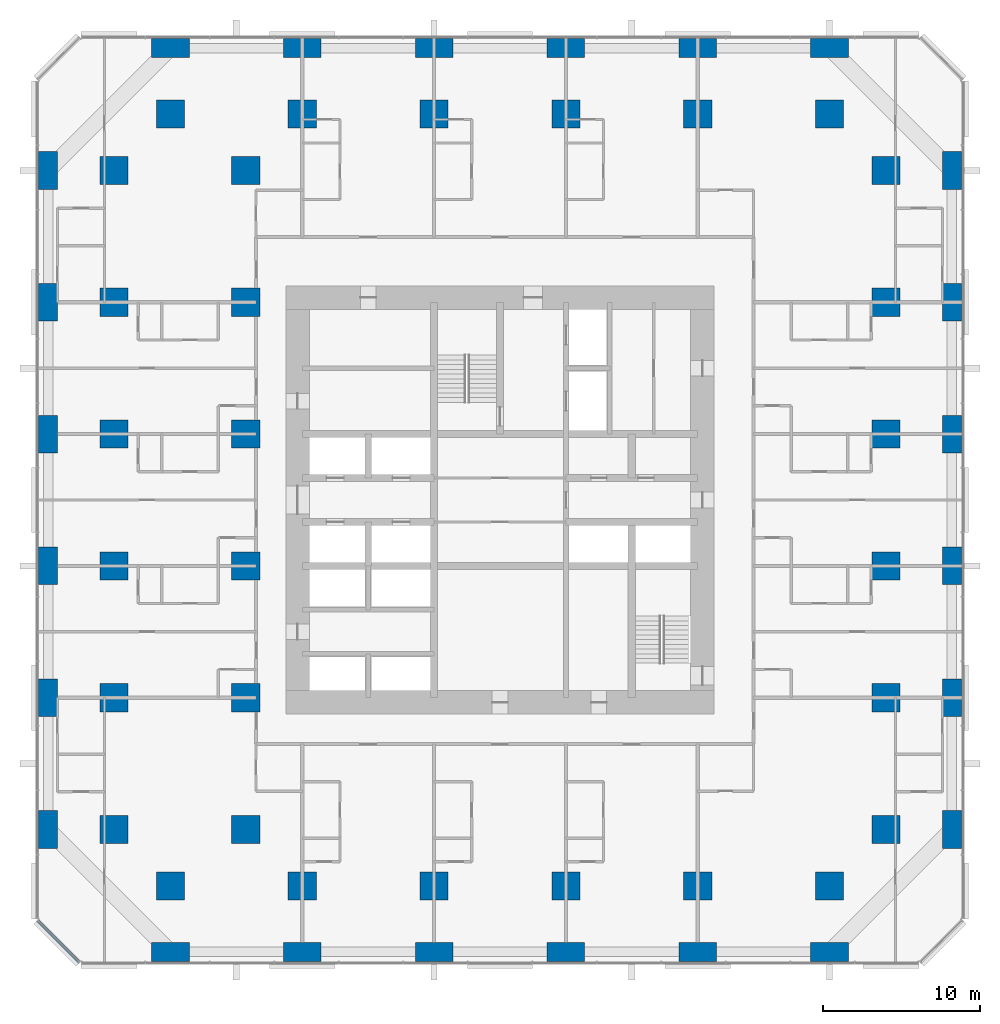
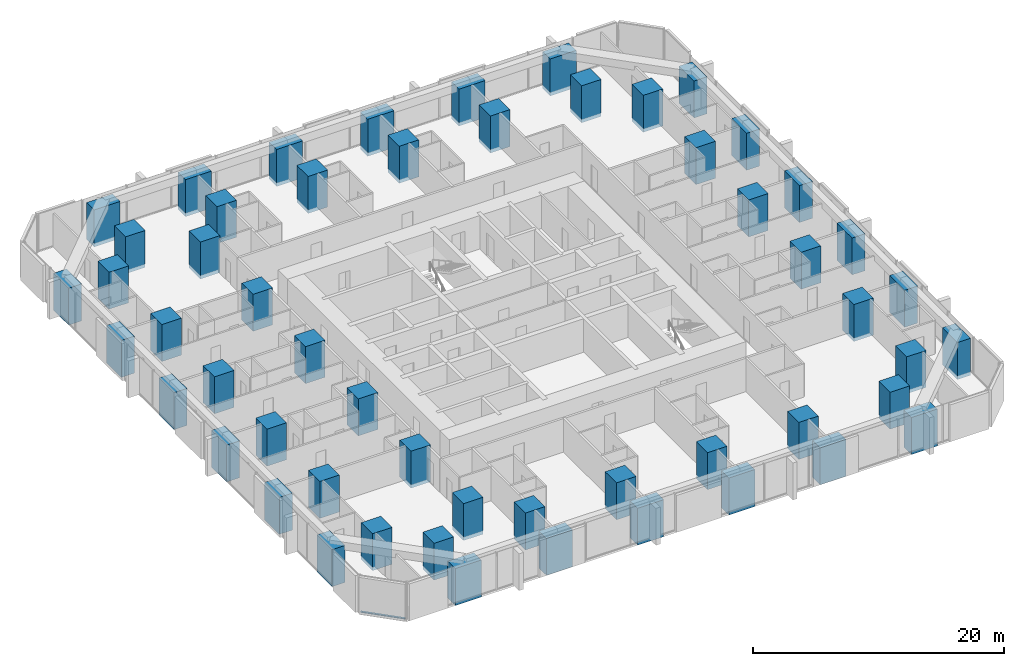
# One storey, part 1 of 17: 54 columns, 1 member, 1 element without a shape of its own.
"""IFC4 building model written with IfcOpenShell, lengths in metres."""

import ifcopenshell
import ifcopenshell.guid

model = None  # the IFC model being written
_history = None  # IfcOwnerHistory: only IFC2X3 demands one
_inside = {}  # id of a spatial element -> (the spatial element, [elements in it])
_under = {}  # id of a project, library or spatial element -> (it, [spatial elements below it])
_declared = {}  # id of a project -> (the project, [libraries it declares])
_typed = {}  # id of a type object -> (the type object, [elements of that type])
_made_of = {}  # id of a material, layer set ... -> (it, [elements and type objects made of it])


def new_model(schema):
    """Start an empty IFC model of exactly this schema.

    Asked for "IFC4X3", IfcOpenShell would pick the latest addendum, in which some entities
    have other attributes; the version numbers below select the first issue.
    IFC2X3 requires an IfcOwnerHistory on every rooted entity: one is made here for all.
    """
    global model, _history
    if schema == "IFC4X3":
        model = ifcopenshell.file(schema_version=(4, 3, 0, 0))
    else:
        model = ifcopenshell.file(schema=schema)
    _inside.clear()
    _under.clear()
    _declared.clear()
    _typed.clear()
    _made_of.clear()
    _history = None
    if model.schema == "IFC2X3":
        org = make("IfcOrganization", Name="unknown")
        user = make(
            "IfcPersonAndOrganization",
            ThePerson=make("IfcPerson", FamilyName="unknown"),
            TheOrganization=org,
        )
        app = make(
            "IfcApplication",
            ApplicationDeveloper=org,
            Version="unknown",
            ApplicationFullName="unknown",
            ApplicationIdentifier="unknown",
        )
        _history = make(
            "IfcOwnerHistory",
            OwningUser=user,
            OwningApplication=app,
            ChangeAction="ADDED",
            CreationDate=0,
        )
    return model


def make(cls, **values):
    """One entity of the class cls with the attributes given. An attribute that is None is left unset."""
    return model.create_entity(
        cls, **{name: value for name, value in values.items() if value is not None}
    )


def rooted(cls, **values):
    """An entity with a GlobalId (a new one), such as an element, a storey or a relation."""
    return make(cls, GlobalId=ifcopenshell.guid.new(), OwnerHistory=_history, **values)


def si_unit(unit_type, name, prefix=None):
    """IfcSIUnit, for example si_unit("LENGTHUNIT", "METRE", prefix="MILLI")."""
    return make("IfcSIUnit", UnitType=unit_type, Prefix=prefix, Name=name)


def assignment(units):
    """IfcUnitAssignment: the units of a project."""
    return None if units is None else make("IfcUnitAssignment", Units=units)


def point(xyz):
    """IfcCartesianPoint."""
    return None if xyz is None else make("IfcCartesianPoint", Coordinates=xyz)


def direction(xyz):
    """IfcDirection."""
    return None if xyz is None else make("IfcDirection", DirectionRatios=xyz)


def frame(location, z_axis=None, x_axis=None):
    """IfcAxis2Placement3D, a coordinate frame: its origin and axes. An axis left out is left unset."""
    return make(
        "IfcAxis2Placement3D",
        Location=point(location),
        Axis=direction(z_axis),
        RefDirection=direction(x_axis),
    )


def frame_2d(location, x_axis=None):
    """IfcAxis2Placement2D, a coordinate frame in the plane: its origin and x axis."""
    return make(
        "IfcAxis2Placement2D", Location=point(location), RefDirection=direction(x_axis)
    )


def origin():
    """The frame at (0, 0, 0) with its axes left unset."""
    return frame((0.0, 0.0, 0.0))


def origin_2d():
    """The frame at (0, 0) in the plane with its x axis left unset."""
    return frame_2d((0.0, 0.0))


def place(relative_to, where):
    """IfcLocalPlacement: puts the frame where relative to a parent placement (None: the world)."""
    return make(
        "IfcLocalPlacement", PlacementRelTo=relative_to, RelativePlacement=where
    )


def context(
    kind, dimensions, precision=None, world=None, true_north=None, identifier=None
):
    """IfcGeometricRepresentationContext, for example the 3D "Model" context."""
    return make(
        "IfcGeometricRepresentationContext",
        ContextIdentifier=identifier,
        ContextType=kind,
        CoordinateSpaceDimension=dimensions,
        Precision=precision,
        WorldCoordinateSystem=world,
        TrueNorth=true_north,
    )


def subcontext(parent, identifier, kind, view, scale=None):
    """IfcGeometricRepresentationSubContext, for example "Body" below "Model"."""
    return make(
        "IfcGeometricRepresentationSubContext",
        ContextIdentifier=identifier,
        ContextType=kind,
        ParentContext=parent,
        TargetScale=scale,
        TargetView=view,
    )


def project(units=None, contexts=None):
    """IfcProject with its units and contexts."""
    return rooted(
        "IfcProject",
        Name="project",
        RepresentationContexts=contexts,
        UnitsInContext=assignment(units),
    )


def spatial(cls, under=None, at=None, **own):
    """A site, building, storey or space (cls), placed at a placement, below another one or the project."""
    s = rooted(cls, ObjectPlacement=at, **own)
    if under is not None:
        _under.setdefault(under.id(), (under, []))[1].append(s)
    return s


def profile(cls, at=None, kind="AREA", **sizes):
    """A parametric profile (cls). Its sizes go by their IFC names, for example OverallWidth=200.0."""
    return make(cls, ProfileType=kind, Position=at, **sizes)


def rectangle(**sizes):
    """IfcRectangleProfileDef."""
    return profile("IfcRectangleProfileDef", **sizes)


def extrude(swept, where, along, depth):
    """IfcExtrudedAreaSolid: the profile swept, set in the frame where, extruded along a direction by depth."""
    return make(
        "IfcExtrudedAreaSolid",
        SweptArea=swept,
        Position=where,
        ExtrudedDirection=direction(along),
        Depth=depth,
    )


def shape(context_of_items, identifier, shape_type, items):
    """IfcShapeRepresentation: the items that make up one representation, for example the "Body"."""
    return make(
        "IfcShapeRepresentation",
        ContextOfItems=context_of_items,
        RepresentationIdentifier=identifier,
        RepresentationType=shape_type,
        Items=items,
    )


def material(Name=None, Category=None):
    """IfcMaterial."""
    return make("IfcMaterial", Name=Name, Category=Category)


def material_profile(
    of_material, cross_section, Name=None, Category=None, Priority=None
):
    """IfcMaterialProfile: a cross section and its material."""
    return make(
        "IfcMaterialProfile",
        Name=Name,
        Material=of_material,
        Profile=cross_section,
        Priority=Priority,
        Category=Category,
    )


def profile_set(profiles, Name=None, composite=None):
    """IfcMaterialProfileSet."""
    return make(
        "IfcMaterialProfileSet",
        Name=Name,
        MaterialProfiles=profiles,
        CompositeProfile=composite,
    )


def made_of(thing, what):
    """Note that an element or type object is made of a material, layer set ...; save() writes the relation."""
    if what is not None:
        _made_of.setdefault(what.id(), (what, []))[1].append(thing)
    return thing


def type_object(cls, material=None, **own):
    """A type object (cls), such as IfcWallType, which elements share."""
    return made_of(rooted(cls, **own), material)


def element(
    cls,
    number,
    at=None,
    inside=None,
    cuts=None,
    type_object=None,
    material=None,
    context=None,
    identifier="Body",
    shape_type=None,
    held_by="IfcProductDefinitionShape",
    body=None,
    shapes=None,
    **own,
):
    """One element of the class cls, such as IfcWall. Its Tag is "e" and its number.

    at: its placement. inside: the storey or other place that contains it. cuts: it is an
    opening in that element (IfcRelVoidsElement). A single representation is given by context,
    identifier, shape_type and body (its items); several are given by shapes. held_by: the class
    of the entity that holds the representations. save() writes the other relations.
    """
    e = rooted(cls, Tag="e%d" % number, ObjectPlacement=at, **own)
    if body is not None:
        shapes = [shape(context, identifier, shape_type, body)]
    if shapes is not None:
        e.Representation = make(held_by, Representations=shapes)
    if inside is not None:
        _inside.setdefault(inside.id(), (inside, []))[1].append(e)
    if cuts is not None:
        rooted(
            "IfcRelVoidsElement", RelatingBuildingElement=cuts, RelatedOpeningElement=e
        )
    if type_object is not None:
        _typed.setdefault(type_object.id(), (type_object, []))[1].append(e)
    return made_of(e, material)


def aggregate(whole, parts):
    """IfcRelAggregates: a whole, such as a stair, and the parts it consists of."""
    return rooted("IfcRelAggregates", RelatingObject=whole, RelatedObjects=parts)


def save(model, path):
    """Write the relations noted so far, then the file.

    IfcRelAggregates (storeys below a building ...), IfcRelContainedInSpatialStructure (elements
    in a storey), IfcRelDefinesByType, IfcRelAssociatesMaterial and IfcRelDeclares: one each for
    every whole, place, type object, material and project.
    """
    for whole, parts in _under.values():
        aggregate(whole, parts)
    for where, things in _inside.values():
        rooted(
            "IfcRelContainedInSpatialStructure",
            RelatedElements=things,
            RelatingStructure=where,
        )
    for kind, things in _typed.values():
        rooted("IfcRelDefinesByType", RelatedObjects=things, RelatingType=kind)
    for what, things in _made_of.values():
        rooted("IfcRelAssociatesMaterial", RelatedObjects=things, RelatingMaterial=what)
    for by, libraries in _declared.values():
        rooted("IfcRelDeclares", RelatingContext=by, RelatedDefinitions=libraries)
    model.write(path)


model = new_model("IFC4")

# Units and contexts
model_context = context("Model", 3, precision=1e-05, world=origin(), true_north=direction((0.0, 1.0)))
body_context = subcontext(model_context, "Body", "Model", "MODEL_VIEW")
ifc_project = project(units=[si_unit("LENGTHUNIT", "METRE"), si_unit("AREAUNIT", "SQUARE_METRE"), si_unit("VOLUMEUNIT", "CUBIC_METRE"), si_unit("PLANEANGLEUNIT", "RADIAN"), si_unit("MASSUNIT", "GRAM", prefix="KILO")], contexts=[model_context])

# Site, building, storey
site_placement = place(None, origin())
site = spatial("IfcSite", under=ifc_project, at=site_placement, CompositionType="ELEMENT")
building_placement = place(site_placement, origin())
building = spatial("IfcBuilding", under=site, at=building_placement, Name="Dunama Terrace Hotel", CompositionType="ELEMENT")
storey_placement = place(building_placement, frame((0.0, 0.0, 55.800048828125)))
storey = spatial("IfcBuildingStorey", under=building, at=storey_placement, Name="L13", CompositionType="ELEMENT", Elevation=55.800048828125)

# Columns
ifc_material_1 = material(Name="Concrete C60/75", Category="concrete")
ifc_material_profile_1 = material_profile(ifc_material_1, rectangle(XDim=1.199951171875, YDim=2.39990234375, at=origin_2d()), Name="RC 1200x2400")
ifc_profile_set_1 = profile_set([ifc_material_profile_1], Name="Concrete C60/75")
column_type_1 = type_object("IfcColumnType", Name="Column RC 1200x2400", PredefinedType="COLUMN", material=ifc_profile_set_1)
for number, where, z_axis, x_axis, name in (
    (1, (0.60009765625, 8.39990234375, -0.35009765625), (0.0, 0.0, 1.0), (1.0, 0.0, 0.0), "Column L13 +0.6/+8.4"),
    (2, (0.60009765625, 16.800048828125, -0.35009765625), (0.0, 0.0, 1.0), (1.0, 0.0, 0.0), "Column L13 +0.6/+16.8"),
    (3, (0.60009765625, 25.199951171875, -0.35009765625), (0.0, 0.0, 1.0), (1.0, 0.0, 0.0), "Column L13 +0.6/+25.2"),
    (4, (0.60009765625, 33.60009765625, -0.35009765625), (0.0, 0.0, 1.0), (1.0, 0.0, 0.0), "Column L13 +0.6/+33.6"),
    (5, (0.60009765625, 42.0, -0.35009765625), (0.0, 0.0, 1.0), (1.0, 0.0, 0.0), "Column L13 +0.6/+42.0"),
    (6, (0.60009765625, 50.39990234375, -0.35009765625), (0.0, 0.0, 1.0), (1.0, 0.0, 0.0), "Column L13 +0.6/+50.4"),
    (7, (58.199951171875, 8.39990234375, -0.35009765625), (0.0, 0.0, 1.0), (1.0, 0.0, 0.0), "Column L13 +58.2/+8.4"),
    (8, (58.199951171875, 16.800048828125, -0.35009765625), (0.0, 0.0, 1.0), (1.0, 0.0, 0.0), "Column L13 +58.2/+16.8"),
    (9, (58.199951171875, 25.199951171875, -0.35009765625), (0.0, 0.0, 1.0), (1.0, 0.0, 0.0), "Column L13 +58.2/+25.2"),
    (10, (58.199951171875, 33.60009765625, -0.35009765625), (0.0, 0.0, 1.0), (1.0, 0.0, 0.0), "Column L13 +58.2/+33.6"),
    (11, (58.199951171875, 42.0, -0.35009765625), (0.0, 0.0, 1.0), (1.0, 0.0, 0.0), "Column L13 +58.2/+42.0"),
    (12, (58.199951171875, 50.39990234375, -0.35009765625), (0.0, 0.0, 1.0), (1.0, 0.0, 0.0), "Column L13 +58.2/+50.4"),
):
    element("IfcColumn", number, at=place(storey_placement, frame(where, z_axis=z_axis, x_axis=x_axis)), inside=storey, type_object=column_type_1, Name=name, PredefinedType="COLUMN", context=body_context, shape_type="SweptSolid", body=[
        extrude(rectangle(XDim=1.199951171875, YDim=2.39990234375, at=origin_2d()), origin(), (0.0, 0.0, 1.0), 3.60009765625),
    ])
ifc_material_2 = material(Name="Concrete C60/75", Category="concrete")
ifc_material_profile_2 = material_profile(ifc_material_2, rectangle(XDim=1.800048828125, YDim=1.800048828125, at=origin_2d()), Name="RC 1800x1800")
ifc_profile_set_2 = profile_set([ifc_material_profile_2], Name="Concrete C60/75")
column_type_2 = type_object("IfcColumnType", Name="Column RC 1800x1800", PredefinedType="COLUMN", material=ifc_profile_set_2)
for number, where, z_axis, x_axis, name in (
    (13, (4.800048828125, 8.39990234375, -0.35009765625), (0.0, 0.0, 1.0), (1.0, 0.0, 0.0), "Column L13 +4.8/+8.4"),
    (14, (4.800048828125, 16.800048828125, -0.35009765625), (0.0, 0.0, 1.0), (1.0, 0.0, 0.0), "Column L13 +4.8/+16.8"),
    (15, (4.800048828125, 25.199951171875, -0.35009765625), (0.0, 0.0, 1.0), (1.0, 0.0, 0.0), "Column L13 +4.8/+25.2"),
    (16, (4.800048828125, 33.60009765625, -0.35009765625), (0.0, 0.0, 1.0), (1.0, 0.0, 0.0), "Column L13 +4.8/+33.6"),
    (17, (4.800048828125, 42.0, -0.35009765625), (0.0, 0.0, 1.0), (1.0, 0.0, 0.0), "Column L13 +4.8/+42.0"),
    (18, (4.800048828125, 50.39990234375, -0.35009765625), (0.0, 0.0, 1.0), (1.0, 0.0, 0.0), "Column L13 +4.8/+50.4"),
    (19, (8.39990234375, 4.800048828125, -0.35009765625), (0.0, 0.0, 1.0), (1.0, 0.0, 0.0), "Column L13 +8.4/+4.8"),
    (20, (8.39990234375, 54.0, -0.35009765625), (0.0, 0.0, 1.0), (1.0, 0.0, 0.0), "Column L13 +8.4/+54.0"),
    (21, (13.199951171875, 8.39990234375, -0.35009765625), (0.0, 0.0, 1.0), (1.0, 0.0, 0.0), "Column L13 +13.2/+8.4"),
    (22, (13.199951171875, 16.800048828125, -0.35009765625), (0.0, 0.0, 1.0), (1.0, 0.0, 0.0), "Column L13 +13.2/+16.8"),
    (23, (13.199951171875, 25.199951171875, -0.35009765625), (0.0, 0.0, 1.0), (1.0, 0.0, 0.0), "Column L13 +13.2/+25.2"),
    (24, (13.199951171875, 33.60009765625, -0.35009765625), (0.0, 0.0, 1.0), (1.0, 0.0, 0.0), "Column L13 +13.2/+33.6"),
    (25, (13.199951171875, 42.0, -0.35009765625), (0.0, 0.0, 1.0), (1.0, 0.0, 0.0), "Column L13 +13.2/+42.0"),
    (26, (13.199951171875, 50.39990234375, -0.35009765625), (0.0, 0.0, 1.0), (1.0, 0.0, 0.0), "Column L13 +13.2/+50.4"),
    (27, (16.800048828125, 4.800048828125, -0.35009765625), (0.0, 0.0, 1.0), (1.0, 0.0, 0.0), "Column L13 +16.8/+4.8"),
    (28, (16.800048828125, 54.0, -0.35009765625), (0.0, 0.0, 1.0), (1.0, 0.0, 0.0), "Column L13 +16.8/+54.0"),
    (29, (25.199951171875, 4.800048828125, -0.35009765625), (0.0, 0.0, 1.0), (1.0, 0.0, 0.0), "Column L13 +25.2/+4.8"),
    (30, (25.199951171875, 54.0, -0.35009765625), (0.0, 0.0, 1.0), (1.0, 0.0, 0.0), "Column L13 +25.2/+54.0"),
    (31, (33.60009765625, 4.800048828125, -0.35009765625), (0.0, 0.0, 1.0), (1.0, 0.0, 0.0), "Column L13 +33.6/+4.8"),
    (32, (33.60009765625, 54.0, -0.35009765625), (0.0, 0.0, 1.0), (1.0, 0.0, 0.0), "Column L13 +33.6/+54.0"),
    (33, (42.0, 4.800048828125, -0.35009765625), (0.0, 0.0, 1.0), (1.0, 0.0, 0.0), "Column L13 +42.0/+4.8"),
    (34, (42.0, 54.0, -0.35009765625), (0.0, 0.0, 1.0), (1.0, 0.0, 0.0), "Column L13 +42.0/+54.0"),
    (35, (50.39990234375, 4.800048828125, -0.35009765625), (0.0, 0.0, 1.0), (1.0, 0.0, 0.0), "Column L13 +50.4/+4.8"),
    (36, (50.39990234375, 54.0, -0.35009765625), (0.0, 0.0, 1.0), (1.0, 0.0, 0.0), "Column L13 +50.4/+54.0"),
    (37, (54.0, 8.39990234375, -0.35009765625), (0.0, 0.0, 1.0), (1.0, 0.0, 0.0), "Column L13 +54.0/+8.4"),
    (38, (54.0, 16.800048828125, -0.35009765625), (0.0, 0.0, 1.0), (1.0, 0.0, 0.0), "Column L13 +54.0/+16.8"),
    (39, (54.0, 25.199951171875, -0.35009765625), (0.0, 0.0, 1.0), (1.0, 0.0, 0.0), "Column L13 +54.0/+25.2"),
    (40, (54.0, 33.60009765625, -0.35009765625), (0.0, 0.0, 1.0), (1.0, 0.0, 0.0), "Column L13 +54.0/+33.6"),
    (41, (54.0, 42.0, -0.35009765625), (0.0, 0.0, 1.0), (1.0, 0.0, 0.0), "Column L13 +54.0/+42.0"),
    (42, (54.0, 50.39990234375, -0.35009765625), (0.0, 0.0, 1.0), (1.0, 0.0, 0.0), "Column L13 +54.0/+50.4"),
):
    element("IfcColumn", number, at=place(storey_placement, frame(where, z_axis=z_axis, x_axis=x_axis)), inside=storey, type_object=column_type_2, Name=name, PredefinedType="COLUMN", context=body_context, shape_type="SweptSolid", body=[
        extrude(rectangle(XDim=1.800048828125, YDim=1.800048828125, at=origin_2d()), origin(), (0.0, 0.0, 1.0), 3.60009765625),
    ])
ifc_material_3 = material(Name="Concrete C60/75", Category="concrete")
ifc_material_profile_3 = material_profile(ifc_material_3, rectangle(XDim=2.39990234375, YDim=1.199951171875, at=origin_2d()), Name="RC 2400x1200")
ifc_profile_set_3 = profile_set([ifc_material_profile_3], Name="Concrete C60/75")
column_type_3 = type_object("IfcColumnType", Name="Column RC 2400x1200", PredefinedType="COLUMN", material=ifc_profile_set_3)
for number, where, z_axis, x_axis, name in (
    (43, (8.39990234375, 0.60009765625, -0.35009765625), (0.0, 0.0, 1.0), (1.0, 0.0, 0.0), "Column L13 +8.4/+0.6"),
    (44, (8.39990234375, 58.199951171875, -0.35009765625), (0.0, 0.0, 1.0), (1.0, 0.0, 0.0), "Column L13 +8.4/+58.2"),
    (45, (16.800048828125, 0.60009765625, -0.35009765625), (0.0, 0.0, 1.0), (1.0, 0.0, 0.0), "Column L13 +16.8/+0.6"),
    (46, (16.800048828125, 58.199951171875, -0.35009765625), (0.0, 0.0, 1.0), (1.0, 0.0, 0.0), "Column L13 +16.8/+58.2"),
    (47, (25.199951171875, 0.60009765625, -0.35009765625), (0.0, 0.0, 1.0), (1.0, 0.0, 0.0), "Column L13 +25.2/+0.6"),
    (48, (25.199951171875, 58.199951171875, -0.35009765625), (0.0, 0.0, 1.0), (1.0, 0.0, 0.0), "Column L13 +25.2/+58.2"),
    (49, (33.60009765625, 0.60009765625, -0.35009765625), (0.0, 0.0, 1.0), (1.0, 0.0, 0.0), "Column L13 +33.6/+0.6"),
    (50, (33.60009765625, 58.199951171875, -0.35009765625), (0.0, 0.0, 1.0), (1.0, 0.0, 0.0), "Column L13 +33.6/+58.2"),
    (51, (42.0, 0.60009765625, -0.35009765625), (0.0, 0.0, 1.0), (1.0, 0.0, 0.0), "Column L13 +42.0/+0.6"),
    (52, (42.0, 58.199951171875, -0.35009765625), (0.0, 0.0, 1.0), (1.0, 0.0, 0.0), "Column L13 +42.0/+58.2"),
    (53, (50.39990234375, 0.60009765625, -0.35009765625), (0.0, 0.0, 1.0), (1.0, 0.0, 0.0), "Column L13 +50.4/+0.6"),
    (54, (50.39990234375, 58.199951171875, -0.35009765625), (0.0, 0.0, 1.0), (1.0, 0.0, 0.0), "Column L13 +50.4/+58.2"),
):
    element("IfcColumn", number, at=place(storey_placement, frame(where, z_axis=z_axis, x_axis=x_axis)), inside=storey, type_object=column_type_3, Name=name, PredefinedType="COLUMN", context=body_context, shape_type="SweptSolid", body=[
        extrude(rectangle(XDim=2.39990234375, YDim=1.199951171875, at=origin_2d()), origin(), (0.0, 0.0, 1.0), 3.60009765625),
    ])

# Curtain wall, member
ifc_material_4 = material(Name="Aluminium curtain wall system", Category="aluminium")
curtain_wall_type = type_object("IfcCurtainWallType", Name="Unitised fritted glass wall CW-A", PredefinedType="NOTDEFINED", material=ifc_material_4)
curtain_wall_placement = place(storey_placement, origin())
curtain_wall = element("IfcCurtainWall", 55, at=curtain_wall_placement, inside=storey, type_object=curtain_wall_type, Name="Unitised fritted glass wall CW-A L13", PredefinedType="NOTDEFINED")
ifc_material_5 = material(Name="Aluminium transom", Category="aluminium")
ifc_material_profile_4 = material_profile(ifc_material_5, rectangle(XDim=0.179931640625, YDim=0.074951171875, at=origin_2d()), Name="CWA TRANSOM 180X75")
ifc_profile_set_4 = profile_set([ifc_material_profile_4], Name="Aluminium transom")
member_type = type_object("IfcMemberType", Name="CWA transom 180x75", PredefinedType="USERDEFINED", material=ifc_profile_set_4)
member_placement = place(storey_placement, frame((-0.02490234375, 2.5830078125, 0.037353515625), z_axis=(0.707106781187, -0.707106781187, 0.0), x_axis=(0.707106781187, 0.707106781187, 0.0)))
member = element("IfcMember", 56, at=member_placement, type_object=member_type, Name="CWA transom", ObjectType="TRANSOM", PredefinedType="USERDEFINED", context=body_context, shape_type="SweptSolid", body=[
    extrude(rectangle(XDim=0.179931640625, YDim=0.074951171875, at=origin_2d()), origin(), (0.0, 0.0, 1.0), 3.688232421875),
])
aggregate(curtain_wall, [member])

save(model, "model.ifc")
